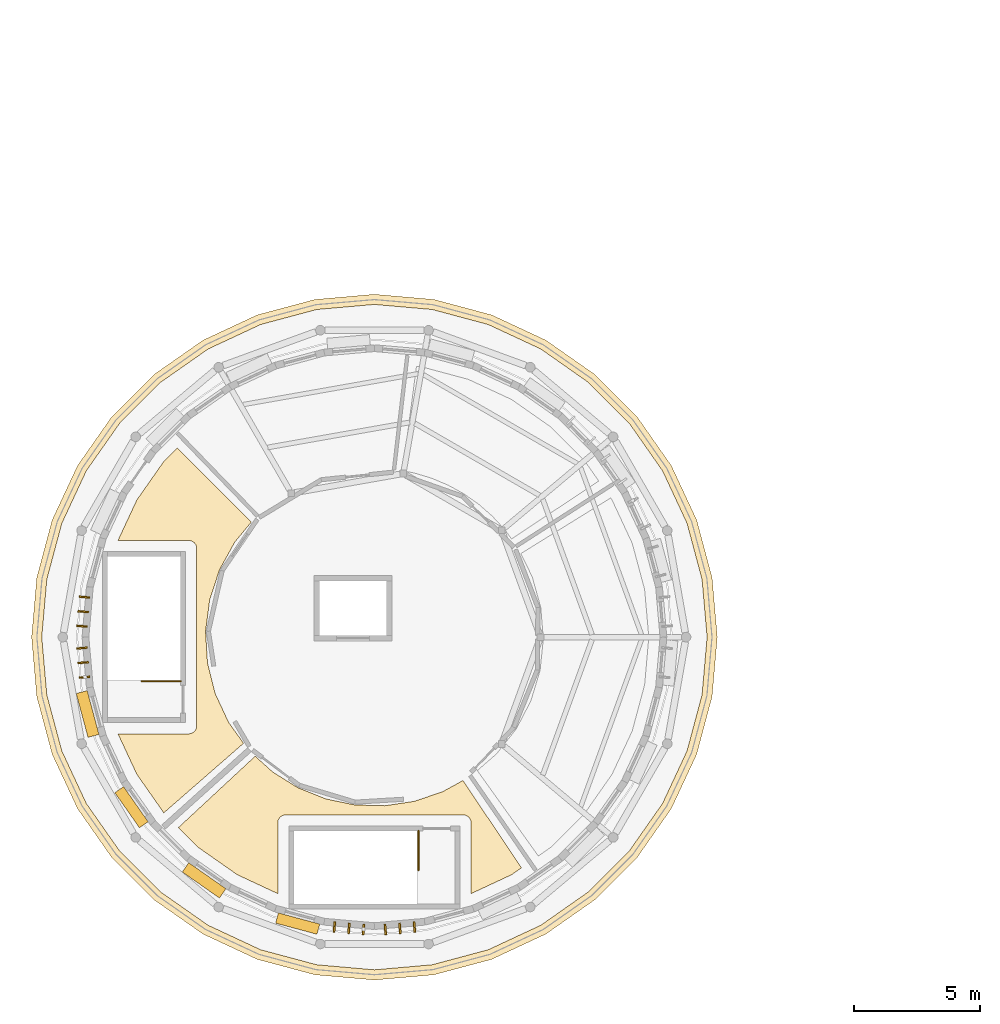
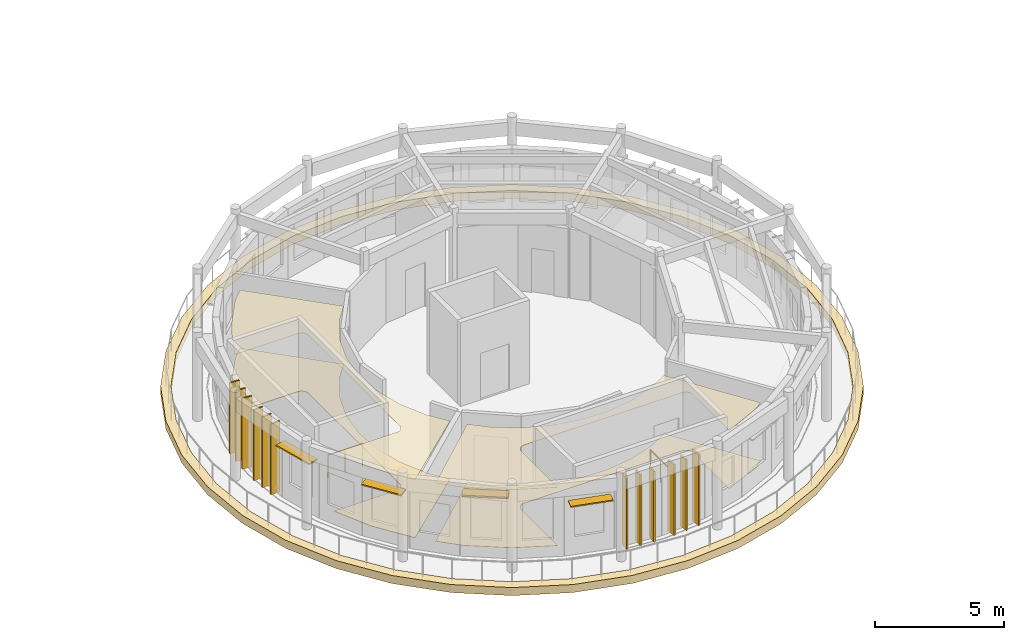
# One storey, part 25 of 30: 16 shading devices, 5 coverings, 2 railings.
"""IFC4 building model written with IfcOpenShell, lengths in metres."""

from ifc_helpers import new_model, si_unit, direction, frame, origin, origin_2d, place, context, subcontext, project, spatial, polyline, rectangle, circle, outline, extrude, material, layer, layer_set, type_object, element, save


model = new_model("IFC4")

# Units and contexts
model_context = context("Model", 3, precision=1e-05, world=origin(), true_north=direction((0.0, 1.0)))
body_context = subcontext(model_context, "Body", "Model", "MODEL_VIEW")
ifc_project = project(units=[si_unit("LENGTHUNIT", "METRE"), si_unit("AREAUNIT", "SQUARE_METRE"), si_unit("VOLUMEUNIT", "CUBIC_METRE"), si_unit("PLANEANGLEUNIT", "RADIAN"), si_unit("MASSUNIT", "GRAM", prefix="KILO")], contexts=[model_context])

# Site, building, storey
site_placement = place(None, origin())
site = spatial("IfcSite", under=ifc_project, at=site_placement, CompositionType="ELEMENT")
building_placement = place(site_placement, origin())
building = spatial("IfcBuilding", under=site, at=building_placement, Name="Aldenvaro Health Centre", CompositionType="ELEMENT")
storey_placement = place(building_placement, frame((0.0, 0.0, 17.14990234375)))
storey = spatial("IfcBuildingStorey", under=building, at=storey_placement, Name="L04", CompositionType="ELEMENT", Elevation=17.14990234375)

# Coverings
ifc_material_1 = material(Name="Antimicrobial Mineral Fibre Ceiling")
ifc_layer_1 = layer(ifc_material_1, 0.01806640625, Name="Antimicrobial Mineral Fibre Ceiling")
ifc_layer_set_1 = layer_set([ifc_layer_1], Name="Antimicrobial Mineral Fibre Ceiling")
covering_type_1 = type_object("IfcCoveringType", Name="COV-CLG-ACT18", PredefinedType="CEILING", material=ifc_layer_set_1)
covering_1_placement = place(storey_placement, frame((0.0, 0.0, 2.75)))
element("IfcCovering", 1, at=covering_1_placement, inside=storey, type_object=covering_type_1, Name="D5-L04-R01 Suspended Ceiling", PredefinedType="CEILING", context=body_context, shape_type="SweptSolid", body=[
    extrude(outline(polyline([(8.31103515625, 22.340087890625), (9.06103515625, 23.948974609375), (10.15087890625, 25.506103515625), (10.666015625, 26.02099609375), (13.60888671875, 23.068115234375), (12.971923828125, 22.302001953125), (12.958984375, 22.283935546875), (12.947021484375, 22.263916015625), (12.35888671875, 21.200927734375), (12.34912109375, 21.180908203125), (12.341064453125, 21.159912109375), (11.9619140625, 20.0048828125), (11.9560546875, 19.98388671875), (11.951904296875, 19.9619140625), (11.7958984375, 18.757080078125), (11.7939453125, 18.73388671875), (11.7939453125, 18.7119140625), (11.865966796875, 17.4990234375), (11.868896484375, 17.47607421875), (11.873046875, 17.4541015625), (12.169921875, 16.27587890625), (12.177001953125, 16.2548828125), (12.18505859375, 16.23388671875), (12.697998046875, 15.132080078125), (12.7080078125, 15.112060546875), (12.719970703125, 15.093017578125), (13.302001953125, 14.283935546875), (10.133056640625, 11.52001953125), (9.06103515625, 13.051025390625), (8.31103515625, 14.659912109375), (11.1201171875, 14.659912109375), (11.132080078125, 14.659912109375), (11.139892578125, 14.660888671875), (11.1630859375, 14.6630859375), (11.1708984375, 14.6640625), (11.194091796875, 14.6689453125), (11.201904296875, 14.6708984375), (11.22412109375, 14.677001953125), (11.23095703125, 14.679931640625), (11.2529296875, 14.68896484375), (11.260009765625, 14.69189453125), (11.281005859375, 14.7041015625), (11.2880859375, 14.7080078125), (11.306884765625, 14.720947265625), (11.31396484375, 14.72509765625), (11.33203125, 14.739990234375), (11.337890625, 14.74609375), (11.35400390625, 14.761962890625), (11.360107421875, 14.76806640625), (11.375, 14.785888671875), (11.37890625, 14.79296875), (11.39208984375, 14.81201171875), (11.39599609375, 14.819091796875), (11.407958984375, 14.840087890625), (11.410888671875, 14.846923828125), (11.419921875, 14.868896484375), (11.423095703125, 14.8759765625), (11.428955078125, 14.89794921875), (11.430908203125, 14.906005859375), (11.43603515625, 14.928955078125), (11.43701171875, 14.93701171875), (11.43896484375, 14.9599609375), (11.43994140625, 14.968017578125), (11.43994140625, 14.97998046875), (11.43994140625, 22.02001953125), (11.43994140625, 22.031982421875), (11.43896484375, 22.0400390625), (11.43701171875, 22.06298828125), (11.43603515625, 22.071044921875), (11.430908203125, 22.093994140625), (11.428955078125, 22.10205078125), (11.423095703125, 22.1240234375), (11.419921875, 22.131103515625), (11.410888671875, 22.153076171875), (11.407958984375, 22.159912109375), (11.39599609375, 22.180908203125), (11.39208984375, 22.18798828125), (11.37890625, 22.20703125), (11.375, 22.214111328125), (11.360107421875, 22.23193359375), (11.35400390625, 22.238037109375), (11.337890625, 22.25390625), (11.33203125, 22.260009765625), (11.31396484375, 22.27490234375), (11.306884765625, 22.279052734375), (11.2880859375, 22.2919921875), (11.281005859375, 22.2958984375), (11.260009765625, 22.30810546875), (11.2529296875, 22.31103515625), (11.23095703125, 22.320068359375), (11.22412109375, 22.322998046875), (11.201904296875, 22.3291015625), (11.194091796875, 22.3310546875), (11.1708984375, 22.3359375), (11.1630859375, 22.3369140625), (11.139892578125, 22.339111328125), (11.132080078125, 22.340087890625), (11.1201171875, 22.340087890625), (8.31103515625, 22.340087890625)])), origin(), (0.0, 0.0, 1.0), 0.01806640625),
])
covering_2_placement = place(storey_placement, frame((0.0, 0.0, 2.75)))
element("IfcCovering", 2, at=covering_2_placement, inside=storey, type_object=covering_type_1, Name="D5-L04-R02 Suspended Ceiling", PredefinedType="CEILING", context=body_context, shape_type="SweptSolid", body=[
    extrude(outline(polyline([(14.446044921875, 13.154052734375), (14.462890625, 13.14111328125), (14.47998046875, 13.12890625), (15.447021484375, 12.52587890625), (15.466064453125, 12.514892578125), (15.485107421875, 12.506103515625), (16.54296875, 12.0830078125), (16.56298828125, 12.075927734375), (16.583984375, 12.070068359375), (17.699951171875, 11.839111328125), (17.720947265625, 11.8349609375), (17.741943359375, 11.833984375), (18.882080078125, 11.802001953125), (18.903076171875, 11.802001953125), (18.924072265625, 11.803955078125), (20.051025390625, 11.972900390625), (20.072021484375, 11.97705078125), (20.092041015625, 11.98291015625), (21.173095703125, 12.345947265625), (21.193115234375, 12.35400390625), (21.2119140625, 12.363037109375), (22.01904296875, 12.804931640625), (24.339111328125, 9.333984375), (23.948974609375, 9.06103515625), (22.340087890625, 8.31103515625), (22.340087890625, 11.1201171875), (22.340087890625, 11.132080078125), (22.339111328125, 11.139892578125), (22.3369140625, 11.1630859375), (22.3359375, 11.1708984375), (22.3310546875, 11.194091796875), (22.3291015625, 11.201904296875), (22.322998046875, 11.22412109375), (22.320068359375, 11.23095703125), (22.31103515625, 11.2529296875), (22.30810546875, 11.260009765625), (22.2958984375, 11.281005859375), (22.2919921875, 11.2880859375), (22.279052734375, 11.306884765625), (22.27490234375, 11.31396484375), (22.260009765625, 11.33203125), (22.25390625, 11.337890625), (22.238037109375, 11.35400390625), (22.23193359375, 11.360107421875), (22.214111328125, 11.375), (22.20703125, 11.37890625), (22.18798828125, 11.39208984375), (22.180908203125, 11.39599609375), (22.159912109375, 11.407958984375), (22.153076171875, 11.410888671875), (22.131103515625, 11.419921875), (22.1240234375, 11.423095703125), (22.10205078125, 11.428955078125), (22.093994140625, 11.430908203125), (22.071044921875, 11.43603515625), (22.06298828125, 11.43701171875), (22.0400390625, 11.43896484375), (22.031982421875, 11.43994140625), (22.02001953125, 11.43994140625), (14.97998046875, 11.43994140625), (14.968017578125, 11.43994140625), (14.9599609375, 11.43896484375), (14.93701171875, 11.43701171875), (14.928955078125, 11.43603515625), (14.906005859375, 11.430908203125), (14.89794921875, 11.428955078125), (14.8759765625, 11.423095703125), (14.868896484375, 11.419921875), (14.846923828125, 11.410888671875), (14.840087890625, 11.407958984375), (14.819091796875, 11.39599609375), (14.81201171875, 11.39208984375), (14.79296875, 11.37890625), (14.785888671875, 11.375), (14.76806640625, 11.360107421875), (14.761962890625, 11.35400390625), (14.74609375, 11.337890625), (14.739990234375, 11.33203125), (14.72509765625, 11.31396484375), (14.720947265625, 11.306884765625), (14.7080078125, 11.2880859375), (14.7041015625, 11.281005859375), (14.69189453125, 11.260009765625), (14.68896484375, 11.2529296875), (14.679931640625, 11.23095703125), (14.677001953125, 11.22412109375), (14.6708984375, 11.201904296875), (14.6689453125, 11.194091796875), (14.6640625, 11.1708984375), (14.6630859375, 11.1630859375), (14.660888671875, 11.139892578125), (14.659912109375, 11.132080078125), (14.659912109375, 11.1201171875), (14.659912109375, 8.31103515625), (13.051025390625, 9.06103515625), (11.493896484375, 10.15087890625), (10.7109375, 10.93408203125), (13.762939453125, 13.77001953125), (14.446044921875, 13.154052734375)])), origin(), (0.0, 0.0, 1.0), 0.01806640625),
])
ifc_material_2 = material(Name="Honed Sonoran Buff Limestone", Category="masonry")
ifc_layer_2 = layer(ifc_material_2, 0.280029296875, Name="Honed Sonoran Buff Limestone", Category="masonry")
ifc_layer_set_2 = layer_set([ifc_layer_2], Name="Honed Sonoran Buff Limestone")
covering_type_2 = type_object("IfcCoveringType", Name="COV-CRN-STN", PredefinedType="CLADDING", material=ifc_layer_set_2)
covering_3_placement = place(storey_placement, frame((0.0, 0.0, -0.33984375)))
element("IfcCovering", 3, at=covering_3_placement, inside=storey, type_object=covering_type_2, Name="D5 L04 Classical Stone Entablature Cornice 1", PredefinedType="CLADDING", context=body_context, shape_type="SweptSolid", body=[
    extrude(outline(polyline([(32.1201171875, 18.5), (31.9130859375, 20.864990234375), (31.299072265625, 23.157958984375), (30.294921875, 25.31005859375), (28.93408203125, 27.2548828125), (27.2548828125, 28.93408203125), (25.31005859375, 30.294921875), (23.157958984375, 31.299072265625), (20.864990234375, 31.9130859375), (18.5, 32.1201171875), (16.135009765625, 31.9130859375), (13.842041015625, 31.299072265625), (11.68994140625, 30.294921875), (9.7451171875, 28.93408203125), (8.06591796875, 27.2548828125), (6.705078125, 25.31005859375), (5.700927734375, 23.157958984375), (5.0869140625, 20.864990234375), (4.8798828125, 18.5), (5.0869140625, 16.135009765625), (5.700927734375, 13.842041015625), (6.705078125, 11.68994140625), (8.06591796875, 9.7451171875), (9.7451171875, 8.06591796875), (11.68994140625, 6.705078125), (13.842041015625, 5.700927734375), (16.135009765625, 5.0869140625), (18.5, 4.8798828125), (20.864990234375, 5.0869140625), (23.157958984375, 5.700927734375), (25.31005859375, 6.705078125), (27.2548828125, 8.06591796875), (28.93408203125, 9.7451171875), (30.294921875, 11.68994140625), (31.299072265625, 13.842041015625), (31.9130859375, 16.135009765625), (32.1201171875, 18.5)]), holes=[polyline([(31.715087890625, 18.5), (31.513916015625, 16.205078125), (30.91796875, 13.97998046875), (29.945068359375, 11.89208984375), (28.623046875, 10.006103515625), (26.993896484375, 8.376953125), (25.10791015625, 7.054931640625), (23.02001953125, 6.08203125), (20.794921875, 5.486083984375), (18.5, 5.284912109375), (16.205078125, 5.486083984375), (13.97998046875, 6.08203125), (11.89208984375, 7.054931640625), (10.006103515625, 8.376953125), (8.376953125, 10.006103515625), (7.054931640625, 11.89208984375), (6.08203125, 13.97998046875), (5.486083984375, 16.205078125), (5.284912109375, 18.5), (5.486083984375, 20.794921875), (6.08203125, 23.02001953125), (7.054931640625, 25.10693359375), (8.376953125, 26.993896484375), (10.006103515625, 28.623046875), (11.89306640625, 29.945068359375), (13.97998046875, 30.91796875), (16.205078125, 31.513916015625), (18.5, 31.715087890625), (20.794921875, 31.513916015625), (23.02001953125, 30.91796875), (25.10791015625, 29.945068359375), (26.993896484375, 28.623046875), (28.623046875, 26.993896484375), (29.945068359375, 25.10693359375), (30.91796875, 23.02001953125), (31.513916015625, 20.794921875), (31.715087890625, 18.5)])]), origin(), (0.0, 0.0, 1.0), 0.3798828125),
])
ifc_material_3 = material(Name="Polished Epoxy Terrazzo Flooring")
ifc_layer_3 = layer(ifc_material_3, 0.02197265625, Name="Polished Epoxy Terrazzo Flooring")
ifc_layer_set_3 = layer_set([ifc_layer_3], Name="Polished Epoxy Terrazzo Flooring")
covering_type_3 = type_object("IfcCoveringType", Name="COV-FLR-TER22", PredefinedType="FLOORING", material=ifc_layer_set_3)
covering_4_placement = place(storey_placement, origin())
element("IfcCovering", 4, at=covering_4_placement, inside=storey, type_object=covering_type_3, Name="D5-L04-R01 Flooring", PredefinedType="FLOORING", context=body_context, shape_type="SweptSolid", body=[
    extrude(outline(polyline([(8.31103515625, 22.340087890625), (9.06103515625, 23.948974609375), (10.15087890625, 25.506103515625), (10.666015625, 26.02099609375), (13.60888671875, 23.068115234375), (12.971923828125, 22.302001953125), (12.958984375, 22.283935546875), (12.947021484375, 22.263916015625), (12.35888671875, 21.200927734375), (12.34912109375, 21.180908203125), (12.341064453125, 21.159912109375), (11.9619140625, 20.0048828125), (11.9560546875, 19.98388671875), (11.951904296875, 19.9619140625), (11.7958984375, 18.757080078125), (11.7939453125, 18.73388671875), (11.7939453125, 18.7119140625), (11.865966796875, 17.4990234375), (11.868896484375, 17.47607421875), (11.873046875, 17.4541015625), (12.169921875, 16.27587890625), (12.177001953125, 16.2548828125), (12.18505859375, 16.23388671875), (12.697998046875, 15.132080078125), (12.7080078125, 15.112060546875), (12.719970703125, 15.093017578125), (13.302001953125, 14.283935546875), (10.133056640625, 11.52001953125), (9.06103515625, 13.051025390625), (8.31103515625, 14.659912109375), (11.1201171875, 14.659912109375), (11.132080078125, 14.659912109375), (11.139892578125, 14.660888671875), (11.1630859375, 14.6630859375), (11.1708984375, 14.6640625), (11.194091796875, 14.6689453125), (11.201904296875, 14.6708984375), (11.22412109375, 14.677001953125), (11.23095703125, 14.679931640625), (11.2529296875, 14.68896484375), (11.260009765625, 14.69189453125), (11.281005859375, 14.7041015625), (11.2880859375, 14.7080078125), (11.306884765625, 14.720947265625), (11.31396484375, 14.72509765625), (11.33203125, 14.739990234375), (11.337890625, 14.74609375), (11.35400390625, 14.761962890625), (11.360107421875, 14.76806640625), (11.375, 14.785888671875), (11.37890625, 14.79296875), (11.39208984375, 14.81201171875), (11.39599609375, 14.819091796875), (11.407958984375, 14.840087890625), (11.410888671875, 14.846923828125), (11.419921875, 14.868896484375), (11.423095703125, 14.8759765625), (11.428955078125, 14.89794921875), (11.430908203125, 14.906005859375), (11.43603515625, 14.928955078125), (11.43701171875, 14.93701171875), (11.43896484375, 14.9599609375), (11.43994140625, 14.968017578125), (11.43994140625, 14.97998046875), (11.43994140625, 22.02001953125), (11.43994140625, 22.031982421875), (11.43896484375, 22.0400390625), (11.43701171875, 22.06298828125), (11.43603515625, 22.071044921875), (11.430908203125, 22.093994140625), (11.428955078125, 22.10205078125), (11.423095703125, 22.1240234375), (11.419921875, 22.131103515625), (11.410888671875, 22.153076171875), (11.407958984375, 22.159912109375), (11.39599609375, 22.180908203125), (11.39208984375, 22.18798828125), (11.37890625, 22.20703125), (11.375, 22.214111328125), (11.360107421875, 22.23193359375), (11.35400390625, 22.238037109375), (11.337890625, 22.25390625), (11.33203125, 22.260009765625), (11.31396484375, 22.27490234375), (11.306884765625, 22.279052734375), (11.2880859375, 22.2919921875), (11.281005859375, 22.2958984375), (11.260009765625, 22.30810546875), (11.2529296875, 22.31103515625), (11.23095703125, 22.320068359375), (11.22412109375, 22.322998046875), (11.201904296875, 22.3291015625), (11.194091796875, 22.3310546875), (11.1708984375, 22.3359375), (11.1630859375, 22.3369140625), (11.139892578125, 22.339111328125), (11.132080078125, 22.340087890625), (11.1201171875, 22.340087890625), (8.31103515625, 22.340087890625)])), origin(), (0.0, 0.0, 1.0), 0.022216796875),
])
ifc_material_4 = material(Name="Seamless Homogeneous Sheet Vinyl")
ifc_layer_4 = layer(ifc_material_4, 0.013916015625, Name="Seamless Homogeneous Sheet Vinyl")
ifc_layer_set_4 = layer_set([ifc_layer_4], Name="Seamless Homogeneous Sheet Vinyl")
covering_type_4 = type_object("IfcCoveringType", Name="COV-FLR-VNL14", PredefinedType="FLOORING", material=ifc_layer_set_4)
covering_5_placement = place(storey_placement, origin())
element("IfcCovering", 5, at=covering_5_placement, inside=storey, type_object=covering_type_4, Name="D5-L04-R02 Flooring", PredefinedType="FLOORING", context=body_context, shape_type="SweptSolid", body=[
    extrude(outline(polyline([(14.446044921875, 13.154052734375), (14.462890625, 13.14111328125), (14.47998046875, 13.12890625), (15.447021484375, 12.52587890625), (15.466064453125, 12.514892578125), (15.485107421875, 12.506103515625), (16.54296875, 12.0830078125), (16.56298828125, 12.075927734375), (16.583984375, 12.070068359375), (17.699951171875, 11.839111328125), (17.720947265625, 11.8349609375), (17.741943359375, 11.833984375), (18.882080078125, 11.802001953125), (18.903076171875, 11.802001953125), (18.924072265625, 11.803955078125), (20.051025390625, 11.972900390625), (20.072021484375, 11.97705078125), (20.092041015625, 11.98291015625), (21.173095703125, 12.345947265625), (21.193115234375, 12.35400390625), (21.2119140625, 12.363037109375), (22.01904296875, 12.804931640625), (24.339111328125, 9.333984375), (23.948974609375, 9.06103515625), (22.340087890625, 8.31103515625), (22.340087890625, 11.1201171875), (22.340087890625, 11.132080078125), (22.339111328125, 11.139892578125), (22.3369140625, 11.1630859375), (22.3359375, 11.1708984375), (22.3310546875, 11.194091796875), (22.3291015625, 11.201904296875), (22.322998046875, 11.22412109375), (22.320068359375, 11.23095703125), (22.31103515625, 11.2529296875), (22.30810546875, 11.260009765625), (22.2958984375, 11.281005859375), (22.2919921875, 11.2880859375), (22.279052734375, 11.306884765625), (22.27490234375, 11.31396484375), (22.260009765625, 11.33203125), (22.25390625, 11.337890625), (22.238037109375, 11.35400390625), (22.23193359375, 11.360107421875), (22.214111328125, 11.375), (22.20703125, 11.37890625), (22.18798828125, 11.39208984375), (22.180908203125, 11.39599609375), (22.159912109375, 11.407958984375), (22.153076171875, 11.410888671875), (22.131103515625, 11.419921875), (22.1240234375, 11.423095703125), (22.10205078125, 11.428955078125), (22.093994140625, 11.430908203125), (22.071044921875, 11.43603515625), (22.06298828125, 11.43701171875), (22.0400390625, 11.43896484375), (22.031982421875, 11.43994140625), (22.02001953125, 11.43994140625), (14.97998046875, 11.43994140625), (14.968017578125, 11.43994140625), (14.9599609375, 11.43896484375), (14.93701171875, 11.43701171875), (14.928955078125, 11.43603515625), (14.906005859375, 11.430908203125), (14.89794921875, 11.428955078125), (14.8759765625, 11.423095703125), (14.868896484375, 11.419921875), (14.846923828125, 11.410888671875), (14.840087890625, 11.407958984375), (14.819091796875, 11.39599609375), (14.81201171875, 11.39208984375), (14.79296875, 11.37890625), (14.785888671875, 11.375), (14.76806640625, 11.360107421875), (14.761962890625, 11.35400390625), (14.74609375, 11.337890625), (14.739990234375, 11.33203125), (14.72509765625, 11.31396484375), (14.720947265625, 11.306884765625), (14.7080078125, 11.2880859375), (14.7041015625, 11.281005859375), (14.69189453125, 11.260009765625), (14.68896484375, 11.2529296875), (14.679931640625, 11.23095703125), (14.677001953125, 11.22412109375), (14.6708984375, 11.201904296875), (14.6689453125, 11.194091796875), (14.6640625, 11.1708984375), (14.6630859375, 11.1630859375), (14.660888671875, 11.139892578125), (14.659912109375, 11.132080078125), (14.659912109375, 11.1201171875), (14.659912109375, 8.31103515625), (13.051025390625, 9.06103515625), (11.493896484375, 10.15087890625), (10.7109375, 10.93408203125), (13.762939453125, 13.77001953125), (14.446044921875, 13.154052734375)])), origin(), (0.0, 0.0, 1.0), 0.01416015625),
])

# Railings
ifc_material_5 = material(Name="Painted Architectural Steel", Category="steel")
railing_type = type_object("IfcRailingType", Name="RL-BAL-INT", PredefinedType="BALUSTRADE", material=ifc_material_5)
railing_1_placement = place(storey_placement, frame((10.800048828125, 16.75, 0.0)))
element("IfcRailing", 6, at=railing_1_placement, inside=storey, type_object=railing_type, Name="L04 ST-09 top well guard 1", PredefinedType="BALUSTRADE", context=body_context, shape_type="SweptSolid", body=[
    extrude(circle(Radius=0.02392578125, at=origin_2d()), frame((0.0, 0.0, 1.076171875), z_axis=(-1.0, 0.0, 0.0), x_axis=(0.0, -1.0, 0.0)), (0.0, 0.0, 1.0), 1.550048828125),
    extrude(circle(Radius=0.02099609375, at=origin_2d()), origin(), (0.0, 0.0, 1.0), 1.052001953125),
    extrude(circle(Radius=0.02099609375, at=origin_2d()), frame((-0.77490234375, 0.0, 0.0)), (0.0, 0.0, 1.0), 1.052001953125),
    extrude(circle(Radius=0.02099609375, at=origin_2d()), frame((-1.550048828125, 0.0, 0.0)), (0.0, 0.0, 1.0), 1.052001953125),
])
railing_2_placement = place(storey_placement, frame((20.25, 10.800048828125, 0.0)))
element("IfcRailing", 7, at=railing_2_placement, inside=storey, type_object=railing_type, Name="L04 ST-10 top well guard 1", PredefinedType="BALUSTRADE", context=body_context, shape_type="SweptSolid", body=[
    extrude(circle(Radius=0.02392578125, at=origin_2d()), frame((0.0, 0.0, 1.076171875), z_axis=(0.0, -1.0, 0.0), x_axis=(1.0, 0.0, 0.0)), (0.0, 0.0, 1.0), 1.550048828125),
    extrude(circle(Radius=0.02099609375, at=origin_2d()), origin(), (0.0, 0.0, 1.0), 1.052001953125),
    extrude(circle(Radius=0.02099609375, at=origin_2d()), frame((0.0, -0.77490234375, 0.0)), (0.0, 0.0, 1.0), 1.052001953125),
    extrude(circle(Radius=0.02099609375, at=origin_2d()), frame((0.0, -1.550048828125, 0.0)), (0.0, 0.0, 1.0), 1.052001953125),
])

# Shading devices
ifc_material_6 = material(Name="Douglas Fir Exterior Glulam GL28h", Category="wood")
shading_device_type_1 = type_object("IfcShadingDeviceType", Name="SHD-FIN-340", PredefinedType="USERDEFINED", material=ifc_material_6)
for number, where, z_axis, x_axis, name in (
    (8, (18.06591796875, 6.882080078125, -0.02001953125), (0.0, 0.0, 1.0), (-0.996210518377, 0.08697472665, 0.0), "D5 L04 Douglas fir fin 9.1"),
    (9, (17.488037109375, 6.93310546875, -0.02001953125), (0.0, 0.0, 1.0), (-0.996210518377, 0.08697472665, 0.0), "D5 L04 Douglas fir fin 9.2"),
    (10, (16.909912109375, 6.98291015625, -0.02001953125), (0.0, 0.0, 1.0), (-0.996210518377, 0.08697472665, 0.0), "D5 L04 Douglas fir fin 9.3"),
):
    element("IfcShadingDevice", number, at=place(storey_placement, frame(where, z_axis=z_axis, x_axis=x_axis)), inside=storey, type_object=shading_device_type_1, Name=name, ObjectType="FIN", PredefinedType="USERDEFINED", context=body_context, shape_type="SweptSolid", body=[
        extrude(rectangle(XDim=0.074951171875, YDim=0.419921875, at=origin_2d()), origin(), (0.0, 0.0, 1.0), 3.35400390625),
    ])
shading_device_type_2 = type_object("IfcShadingDeviceType", Name="SHD-FIN-380", PredefinedType="USERDEFINED", material=ifc_material_6)
for number, where, z_axis, x_axis, name in (
    (11, (20.090087890625, 6.98291015625, -0.02001953125), (0.0, 0.0, 1.0), (-0.996210518377, -0.08697472665, 0.0), "D5 L04 Douglas fir fin 8.1"),
    (12, (19.511962890625, 6.93310546875, -0.02001953125), (0.0, 0.0, 1.0), (-0.996210518377, -0.08697472665, 0.0), "D5 L04 Douglas fir fin 8.2"),
    (13, (18.93408203125, 6.882080078125, -0.02001953125), (0.0, 0.0, 1.0), (-0.996210518377, -0.08697472665, 0.0), "D5 L04 Douglas fir fin 8.3"),
):
    element("IfcShadingDevice", number, at=place(storey_placement, frame(where, z_axis=z_axis, x_axis=x_axis)), inside=storey, type_object=shading_device_type_2, Name=name, ObjectType="FIN", PredefinedType="USERDEFINED", context=body_context, shape_type="SweptSolid", body=[
        extrude(rectangle(XDim=0.074951171875, YDim=0.419921875, at=origin_2d()), origin(), (0.0, 0.0, 1.0), 3.35400390625),
    ])
shading_device_type_3 = type_object("IfcShadingDeviceType", Name="SHD-FIN-420", PredefinedType="USERDEFINED", material=ifc_material_6)
for number, where, z_axis, x_axis, name in (
    (14, (6.882080078125, 18.93408203125, -0.02001953125), (0.0, 0.0, 1.0), (0.08697472665, 0.996210518377, 0.0), "D5 L04 Douglas fir fin 18.1"),
    (15, (6.93310546875, 19.511962890625, -0.02001953125), (0.0, 0.0, 1.0), (0.08697472665, 0.996210518377, 0.0), "D5 L04 Douglas fir fin 18.2"),
    (16, (6.98291015625, 20.090087890625, -0.02001953125), (0.0, 0.0, 1.0), (0.08697472665, 0.996210518377, 0.0), "D5 L04 Douglas fir fin 18.3"),
):
    element("IfcShadingDevice", number, at=place(storey_placement, frame(where, z_axis=z_axis, x_axis=x_axis)), inside=storey, type_object=shading_device_type_3, Name=name, ObjectType="FIN", PredefinedType="USERDEFINED", context=body_context, shape_type="SweptSolid", body=[
        extrude(rectangle(XDim=0.06494140625, YDim=0.419921875, at=origin_2d()), origin(), (0.0, 0.0, 1.0), 3.35400390625),
    ])
shading_device_type_4 = type_object("IfcShadingDeviceType", Name="SHD-FIN-435", PredefinedType="USERDEFINED", material=ifc_material_6)
for number, where, z_axis, x_axis, name in (
    (17, (6.98291015625, 16.909912109375, -0.02001953125), (0.0, 0.0, 1.0), (-0.08697472665, 0.996210518377, 0.0), "D5 L04 Douglas fir fin 17.1"),
    (18, (6.93310546875, 17.488037109375, -0.02001953125), (0.0, 0.0, 1.0), (-0.08697472665, 0.996210518377, 0.0), "D5 L04 Douglas fir fin 17.2"),
    (19, (6.882080078125, 18.06591796875, -0.02001953125), (0.0, 0.0, 1.0), (-0.08697472665, 0.996210518377, 0.0), "D5 L04 Douglas fir fin 17.3"),
):
    element("IfcShadingDevice", number, at=place(storey_placement, frame(where, z_axis=z_axis, x_axis=x_axis)), inside=storey, type_object=shading_device_type_4, Name=name, ObjectType="FIN", PredefinedType="USERDEFINED", context=body_context, shape_type="SweptSolid", body=[
        extrude(rectangle(XDim=0.06494140625, YDim=0.419921875, at=origin_2d()), origin(), (0.0, 0.0, 1.0), 3.35400390625),
    ])
shading_device_type_5 = type_object("IfcShadingDeviceType", Name="SHD-LVR-170", PredefinedType="JALOUSIE", material=ifc_material_6)
for number, where, z_axis, x_axis, name in (
    (20, (15.450927734375, 7.1201171875, 2.550048828125), (0.0, 0.0, 1.0), (-0.965919053651, 0.258844319608, 0.0), "D5 L04 horizontal solar louvre 10"),
    (21, (8.84912109375, 11.742919921875, 2.699951171875), (0.0, 0.0, 1.0), (-0.57369709618, 0.819067544122, 0.0), "D5 L04 horizontal solar louvre 14"),
):
    element("IfcShadingDevice", number, at=place(storey_placement, frame(where, z_axis=z_axis, x_axis=x_axis)), inside=storey, type_object=shading_device_type_5, Name=name, PredefinedType="JALOUSIE", context=body_context, shape_type="SweptSolid", body=[
        extrude(rectangle(XDim=1.699951171875, YDim=0.419921875, at=origin_2d()), origin(), (0.0, 0.0, 1.0), 0.06005859375),
    ])
shading_device_type_6 = type_object("IfcShadingDeviceType", Name="SHD-LVR-210", PredefinedType="JALOUSIE", material=ifc_material_6)
shading_device_1_placement = place(storey_placement, frame((11.73388671875, 8.8369140625, 3.147705078125), z_axis=(0.0, 0.0, 1.0), x_axis=(-0.819067544122, 0.57369709618, 0.0)))
element("IfcShadingDevice", 22, at=shading_device_1_placement, inside=storey, type_object=shading_device_type_6, Name="D5 L04 horizontal solar louvre 12", PredefinedType="JALOUSIE", context=body_context, shape_type="SweptSolid", body=[
    extrude(rectangle(XDim=1.801025390625, YDim=0.449951171875, at=origin_2d()), origin(), (0.0, 0.0, 1.0), 0.06494140625),
])
shading_device_2_placement = place(storey_placement, frame((7.10498046875, 15.447998046875, 2.697509765625), z_axis=(0.0, 0.0, 1.0), x_axis=(-0.258844319608, 0.965919053651, 0.0)))
element("IfcShadingDevice", 23, at=shading_device_2_placement, inside=storey, type_object=shading_device_type_6, Name="D5 L04 horizontal solar louvre 16", PredefinedType="JALOUSIE", context=body_context, shape_type="SweptSolid", body=[
    extrude(rectangle(XDim=1.80126953125, YDim=0.449951171875, at=origin_2d()), origin(), (0.0, 0.0, 1.0), 0.06494140625),
])

save(model, "model.ifc")
